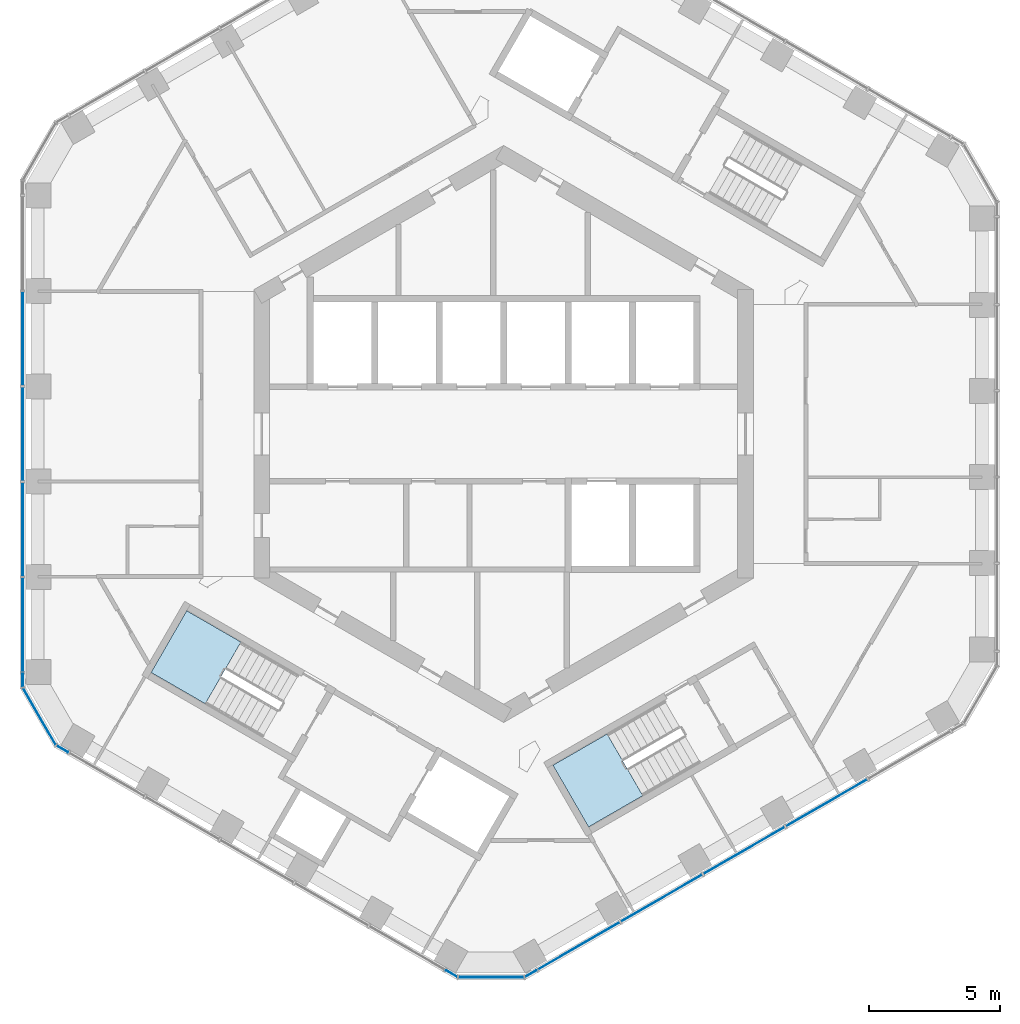
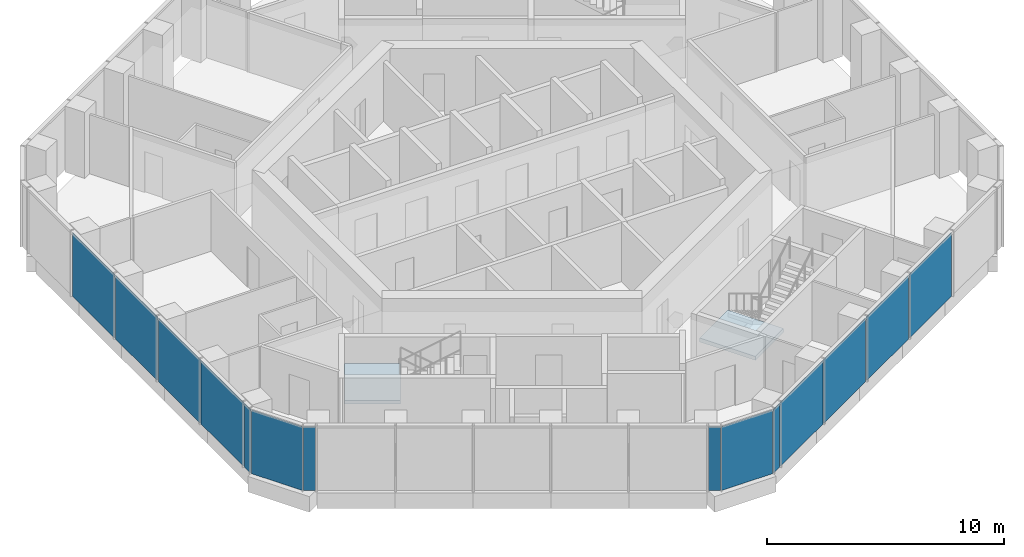
# One storey, part 8 of 18: 14 plates, 2 slabs, 6 elements without a shape of their own.
"""IFC4 building model written with IfcOpenShell, lengths in metres."""

from ifc_helpers import new_model, si_unit, direction, frame, origin, origin_2d, place, context, subcontext, project, spatial, polyline, rectangle, outline, extrude, material, layer, layer_set, type_object, element, aggregate, save


model = new_model("IFC4")

# Units and contexts
model_context = context("Model", 3, precision=1e-05, world=origin(), true_north=direction((0.0, 1.0)))
body_context = subcontext(model_context, "Body", "Model", "MODEL_VIEW")
ifc_project = project(units=[si_unit("LENGTHUNIT", "METRE"), si_unit("AREAUNIT", "SQUARE_METRE"), si_unit("VOLUMEUNIT", "CUBIC_METRE"), si_unit("PLANEANGLEUNIT", "RADIAN"), si_unit("MASSUNIT", "GRAM", prefix="KILO")], contexts=[model_context])

# Site, building, storey
site_placement = place(None, origin())
site = spatial("IfcSite", under=ifc_project, at=site_placement, CompositionType="ELEMENT")
building_placement = place(site_placement, origin())
building = spatial("IfcBuilding", under=site, at=building_placement, Name="Ayvan Gate Tower", CompositionType="ELEMENT")
storey_placement = place(building_placement, frame((0.0, 0.0, 179.89990234375)))
storey = spatial("IfcBuildingStorey", under=building, at=storey_placement, Name="L48", CompositionType="ELEMENT", Elevation=179.89990234375)

# Stair, slab
ifc_material_1 = material(Name="Concrete C40/50", Category="concrete")
stair_type = type_object("IfcStairType", Name="ST-EXIT", PredefinedType="HALF_TURN_STAIR", material=ifc_material_1)
stair_1_placement = place(storey_placement, origin())
stair_1 = element("IfcStair", 1, at=stair_1_placement, inside=storey, type_object=stair_type, Name="L48 Exit Stair S2", PredefinedType="HALF_TURN_STAIR")
ifc_layer_1 = layer(ifc_material_1, 0.199951171875)
ifc_layer_set_1 = layer_set([ifc_layer_1], Name="Concrete C40/50")
slab_type = type_object("IfcSlabType", Name="SL-LANDING-200", PredefinedType="LANDING", material=ifc_layer_set_1)
slab_1_placement = place(storey_placement, frame((0.0, 0.0, 1.5)))
slab_1 = element("IfcSlab", 2, at=slab_1_placement, type_object=slab_type, Name="STS2 landing 1", PredefinedType="LANDING", context=body_context, shape_type="SweptSolid", body=[
    extrude(outline(polyline([(-9.988525390625, -7.91064453125), (-12.049560546875, -6.720458984375), (-13.404541015625, -9.0673828125), (-11.343505859375, -10.257568359375), (-9.988525390625, -7.91064453125)])), origin(), (0.0, 0.0, 1.0), 0.2001953125),
])
aggregate(stair_1, [slab_1])

stair_2_placement = place(storey_placement, origin())
stair_2 = element("IfcStair", 3, at=stair_2_placement, inside=storey, type_object=stair_type, Name="L48 Exit Stair S3", PredefinedType="HALF_TURN_STAIR")
slab_2_placement = place(storey_placement, frame((0.0, 0.0, 1.5)))
slab_2 = element("IfcSlab", 4, at=slab_2_placement, type_object=slab_type, Name="STS3 landing 1", PredefinedType="LANDING", context=body_context, shape_type="SweptSolid", body=[
    extrude(outline(polyline([(3.93505859375, -11.405517578125), (1.873779296875, -12.595458984375), (3.228759765625, -14.9423828125), (5.2900390625, -13.75244140625), (3.93505859375, -11.405517578125)])), origin(), (0.0, 0.0, 1.0), 0.2001953125),
])
aggregate(stair_2, [slab_2])

# Curtain wall, plates
ifc_material_2 = material(Name="Bronze anodised aluminium", Category="aluminium")
ifc_layer_2 = layer(ifc_material_2, 0.199951171875)
ifc_layer_set_2 = layer_set([ifc_layer_2], Name="Bronze anodised aluminium")
curtain_wall_type_1 = type_object("IfcCurtainWallType", Name="Stick curtain wall CW-2", PredefinedType="NOTDEFINED", material=ifc_layer_set_2)
curtain_wall_1_placement = place(storey_placement, origin())
curtain_wall_1 = element("IfcCurtainWall", 5, at=curtain_wall_1_placement, inside=storey, type_object=curtain_wall_type_1, Name="Stick curtain wall CW-2 L48", PredefinedType="NOTDEFINED")
ifc_material_3 = material(Name="Clear low-iron laminated glass", Category="glass")
ifc_layer_3 = layer(ifc_material_3, 0.028076171875)
ifc_layer_set_3 = layer_set([ifc_layer_3], Name="Clear low-iron laminated glass")
plate_type_1 = type_object("IfcPlateType", Name="Stick curtain wall CW-2 glass panel", PredefinedType="CURTAIN_PANEL", material=ifc_layer_set_3)
plate_1_placement = place(storey_placement, frame((-18.286865234375, 3.623779296875, 0.0), z_axis=(0.0, 0.0, 1.0), x_axis=(0.0, -1.0, 0.0)))
plate_1 = element("IfcPlate", 6, at=plate_1_placement, type_object=plate_type_1, Name="CW-2 glass panel 2", PredefinedType="CURTAIN_PANEL", context=body_context, shape_type="SweptSolid", body=[
    extrude(rectangle(XDim=3.553955078125, YDim=0.028076171875, at=origin_2d()), origin(), (0.0, 0.0, 1.0), 3.280029296875),
])
plate_2_placement = place(storey_placement, frame((-18.286865234375, -0.000244140625, 0.0), z_axis=(0.0, 0.0, 1.0), x_axis=(0.0, -1.0, 0.0)))
plate_2 = element("IfcPlate", 7, at=plate_2_placement, type_object=plate_type_1, Name="CW-2 glass panel 3", PredefinedType="CURTAIN_PANEL", context=body_context, shape_type="SweptSolid", body=[
    extrude(rectangle(XDim=3.553955078125, YDim=0.028076171875, at=origin_2d()), origin(), (0.0, 0.0, 1.0), 3.280029296875),
])
plate_3_placement = place(storey_placement, frame((-18.286865234375, -3.623779296875, 0.0), z_axis=(0.0, 0.0, 1.0), x_axis=(0.0, -1.0, 0.0)))
plate_3 = element("IfcPlate", 8, at=plate_3_placement, type_object=plate_type_1, Name="CW-2 glass panel 4", PredefinedType="CURTAIN_PANEL", context=body_context, shape_type="SweptSolid", body=[
    extrude(rectangle(XDim=3.552978515625, YDim=0.028076171875, at=origin_2d()), origin(), (0.0, 0.0, 1.0), 3.280029296875),
])
plate_4_placement = place(storey_placement, frame((-18.286865234375, -7.276611328125, 0.0), z_axis=(0.0, 0.0, 1.0), x_axis=(0.0, -1.0, 0.0)))
plate_4 = element("IfcPlate", 9, at=plate_4_placement, type_object=plate_type_1, Name="CW-2 glass panel 5", PredefinedType="CURTAIN_PANEL", context=body_context, shape_type="SweptSolid", body=[
    extrude(rectangle(XDim=3.612548828125, YDim=0.028076171875, at=origin_2d()), origin(), (0.0, 0.0, 1.0), 3.280029296875),
])
aggregate(curtain_wall_1, [plate_1, plate_2, plate_3, plate_4])

curtain_wall_2_placement = place(storey_placement, origin())
curtain_wall_2 = element("IfcCurtainWall", 10, at=curtain_wall_2_placement, inside=storey, type_object=curtain_wall_type_1, Name="Stick curtain wall CW-2 L48", PredefinedType="NOTDEFINED")
plate_5_placement = place(storey_placement, frame((2.841552734375, -19.47509765625, 0.0), z_axis=(0.0, 0.0, 1.0), x_axis=(0.866025403784, 0.5, 0.0)))
plate_5 = element("IfcPlate", 11, at=plate_5_placement, type_object=plate_type_1, Name="CW-2 glass panel 1", PredefinedType="CURTAIN_PANEL", context=body_context, shape_type="SweptSolid", body=[
    extrude(rectangle(XDim=3.612060546875, YDim=0.028076171875, at=origin_2d()), origin(), (0.0, 0.0, 1.0), 3.280029296875),
])
plate_6_placement = place(storey_placement, frame((6.005126953125, -17.648681640625, 0.0), z_axis=(0.0, 0.0, 1.0), x_axis=(0.866025403784, 0.5, 0.0)))
plate_6 = element("IfcPlate", 12, at=plate_6_placement, type_object=plate_type_1, Name="CW-2 glass panel 2", PredefinedType="CURTAIN_PANEL", context=body_context, shape_type="SweptSolid", body=[
    extrude(rectangle(XDim=3.553955078125, YDim=0.028076171875, at=origin_2d()), origin(), (0.0, 0.0, 1.0), 3.280029296875),
])
plate_7_placement = place(storey_placement, frame((9.1435546875, -15.836669921875, 0.0), z_axis=(0.0, 0.0, 1.0), x_axis=(0.866025403784, 0.5, 0.0)))
plate_7 = element("IfcPlate", 13, at=plate_7_placement, type_object=plate_type_1, Name="CW-2 glass panel 3", PredefinedType="CURTAIN_PANEL", context=body_context, shape_type="SweptSolid", body=[
    extrude(rectangle(XDim=3.553955078125, YDim=0.028076171875, at=origin_2d()), origin(), (0.0, 0.0, 1.0), 3.280029296875),
])
plate_8_placement = place(storey_placement, frame((12.28173828125, -14.02490234375, 0.0), z_axis=(0.0, 0.0, 1.0), x_axis=(0.866025403784, 0.5, 0.0)))
plate_8 = element("IfcPlate", 14, at=plate_8_placement, type_object=plate_type_1, Name="CW-2 glass panel 4", PredefinedType="CURTAIN_PANEL", context=body_context, shape_type="SweptSolid", body=[
    extrude(rectangle(XDim=3.552978515625, YDim=0.028076171875, at=origin_2d()), origin(), (0.0, 0.0, 1.0), 3.280029296875),
])
aggregate(curtain_wall_2, [plate_5, plate_6, plate_7, plate_8])

ifc_layer_4 = layer(ifc_material_2, 0.199951171875)
ifc_layer_set_4 = layer_set([ifc_layer_4], Name="Bronze anodised aluminium")
curtain_wall_type_2 = type_object("IfcCurtainWallType", Name="Stick curtain wall CW-6", PredefinedType="NOTDEFINED", material=ifc_layer_set_4)
curtain_wall_3_placement = place(storey_placement, origin())
curtain_wall_3 = element("IfcCurtainWall", 15, at=curtain_wall_3_placement, inside=storey, type_object=curtain_wall_type_2, Name="Stick curtain wall CW-6 L48", PredefinedType="NOTDEFINED")
ifc_layer_5 = layer(ifc_material_3, 0.028076171875)
ifc_layer_set_5 = layer_set([ifc_layer_5], Name="Clear low-iron laminated glass")
plate_type_2 = type_object("IfcPlateType", Name="Stick curtain wall CW-6 glass panel", PredefinedType="CURTAIN_PANEL", material=ifc_layer_set_5)
plate_9_placement = place(storey_placement, frame((-18.286865234375, -9.36767578125, 0.0), z_axis=(0.0, 0.0, 1.0), x_axis=(0.0, -1.0, 0.0)))
plate_9 = element("IfcPlate", 16, at=plate_9_placement, type_object=plate_type_2, Name="CW-6 glass panel 1", PredefinedType="CURTAIN_PANEL", context=body_context, shape_type="SweptSolid", body=[
    extrude(rectangle(XDim=0.5, YDim=0.028076171875, at=origin_2d()), origin(), (0.0, 0.0, 1.0), 3.280029296875),
])
plate_10_placement = place(storey_placement, frame((-17.653076171875, -10.740234375, 0.0), z_axis=(0.0, 0.0, 1.0), x_axis=(0.5, -0.866025403784, 0.0)))
plate_10 = element("IfcPlate", 17, at=plate_10_placement, type_object=plate_type_2, Name="CW-6 glass panel 2", PredefinedType="CURTAIN_PANEL", context=body_context, shape_type="SweptSolid", body=[
    extrude(rectangle(XDim=2.484619140625, YDim=0.028076171875, at=origin_2d()), origin(), (0.0, 0.0, 1.0), 3.280029296875),
])
plate_11_placement = place(storey_placement, frame((-16.78125, -11.975341796875, 0.0), z_axis=(0.0, 0.0, 1.0), x_axis=(0.866025403784, -0.5, 0.0)))
plate_11 = element("IfcPlate", 18, at=plate_11_placement, type_object=plate_type_2, Name="CW-6 glass panel 3", PredefinedType="CURTAIN_PANEL", context=body_context, shape_type="SweptSolid", body=[
    extrude(rectangle(XDim=0.5, YDim=0.028076171875, at=origin_2d()), origin(), (0.0, 0.0, 1.0), 3.280029296875),
])
aggregate(curtain_wall_3, [plate_9, plate_10, plate_11])

curtain_wall_4_placement = place(storey_placement, origin())
curtain_wall_4 = element("IfcCurtainWall", 19, at=curtain_wall_4_placement, inside=storey, type_object=curtain_wall_type_2, Name="Stick curtain wall CW-6 L48", PredefinedType="NOTDEFINED")
plate_12_placement = place(storey_placement, frame((-1.980224609375, -20.520751953125, 0.0), z_axis=(0.0, 0.0, 1.0), x_axis=(0.866025403784, -0.5, 0.0)))
plate_12 = element("IfcPlate", 20, at=plate_12_placement, type_object=plate_type_2, Name="CW-6 glass panel 1", PredefinedType="CURTAIN_PANEL", context=body_context, shape_type="SweptSolid", body=[
    extrude(rectangle(XDim=0.5, YDim=0.028076171875, at=origin_2d()), origin(), (0.0, 0.0, 1.0), 3.280029296875),
])
plate_13_placement = place(storey_placement, frame((-0.474853515625, -20.658203125, 0.0), z_axis=(0.0, 0.0, 1.0), x_axis=(1.0, 0.0, 0.0)))
plate_13 = element("IfcPlate", 21, at=plate_13_placement, type_object=plate_type_2, Name="CW-6 glass panel 2", PredefinedType="CURTAIN_PANEL", context=body_context, shape_type="SweptSolid", body=[
    extrude(rectangle(XDim=2.484619140625, YDim=0.028076171875, at=origin_2d()), origin(), (0.0, 0.0, 1.0), 3.280029296875),
])
plate_14_placement = place(storey_placement, frame((1.03076171875, -20.520751953125, 0.0), z_axis=(0.0, 0.0, 1.0), x_axis=(0.866025403784, 0.5, 0.0)))
plate_14 = element("IfcPlate", 22, at=plate_14_placement, type_object=plate_type_2, Name="CW-6 glass panel 3", PredefinedType="CURTAIN_PANEL", context=body_context, shape_type="SweptSolid", body=[
    extrude(rectangle(XDim=0.5, YDim=0.028076171875, at=origin_2d()), origin(), (0.0, 0.0, 1.0), 3.280029296875),
])
aggregate(curtain_wall_4, [plate_12, plate_13, plate_14])

save(model, "model.ifc")
